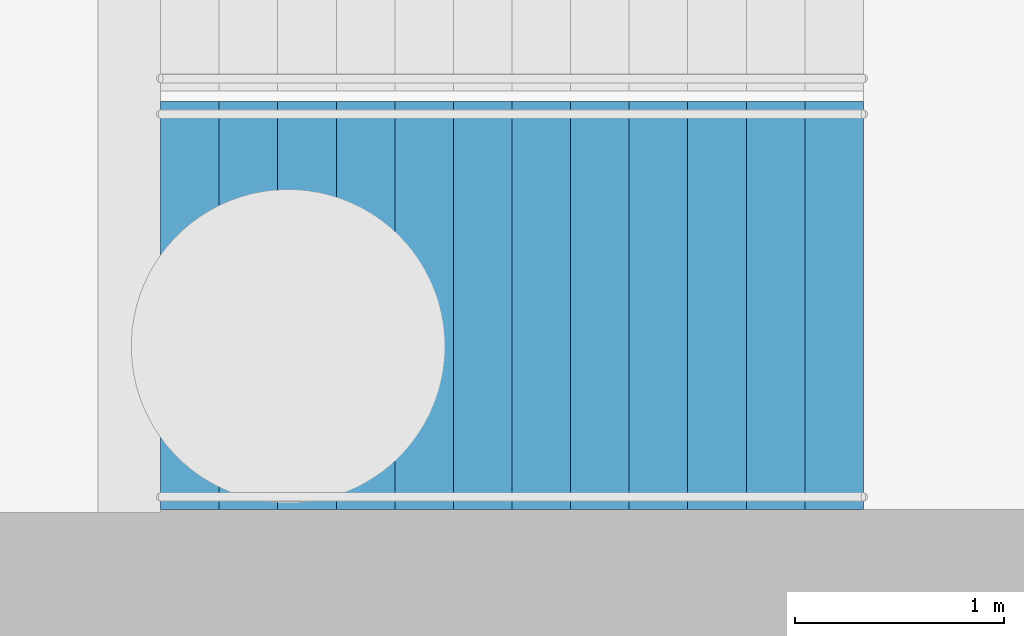
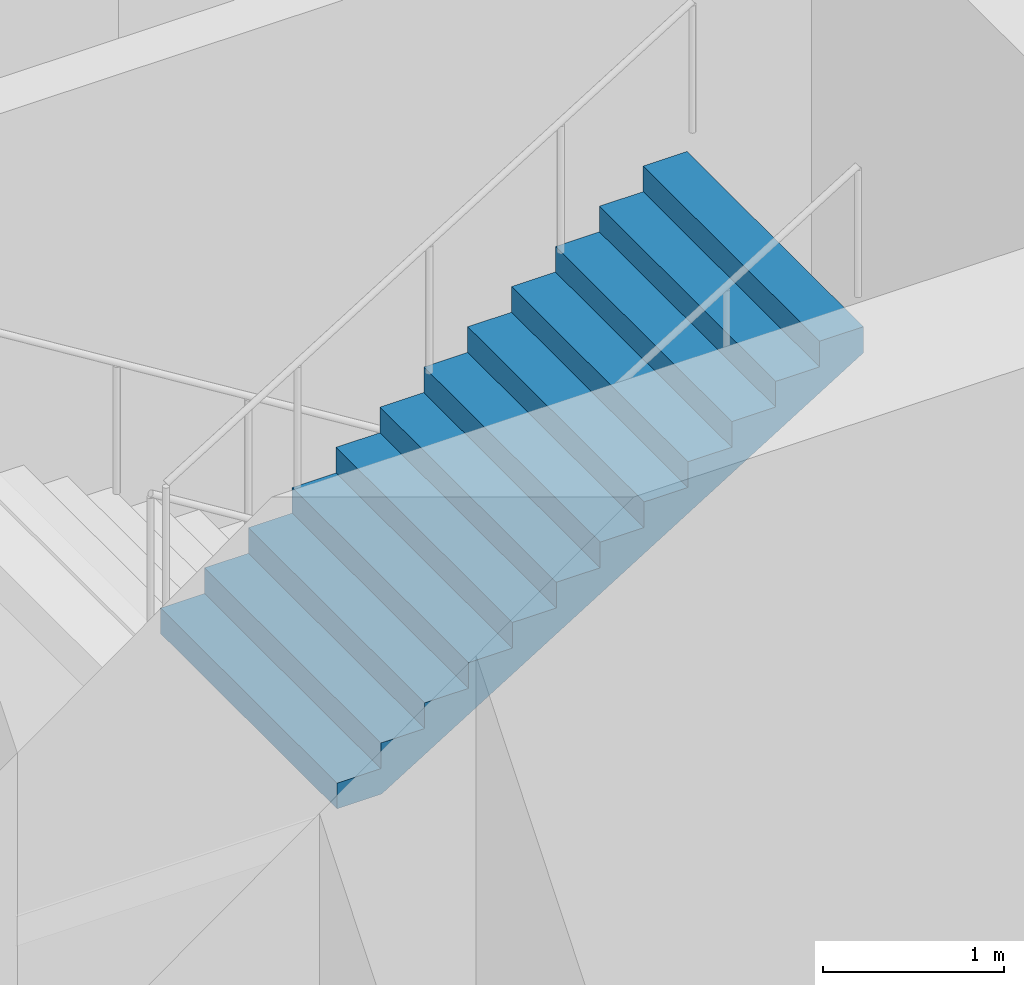
# One storey, part 11 of 28: 1 stair flight, 1 element without a shape of its own.
"""IFC4 building model written with IfcOpenShell, lengths in metres."""

from ifc_helpers import new_model, si_unit, direction, frame, origin, place, context, subcontext, project, spatial, triangles, material, type_object, element, aggregate, save


model = new_model("IFC4")

# Units and contexts
model_context = context("Model", 3, precision=1e-05, world=origin(), true_north=direction((0.0, 1.0)))
body_context = subcontext(model_context, "Body", "Model", "MODEL_VIEW")
ifc_project = project(units=[si_unit("LENGTHUNIT", "METRE"), si_unit("AREAUNIT", "SQUARE_METRE"), si_unit("VOLUMEUNIT", "CUBIC_METRE"), si_unit("PLANEANGLEUNIT", "RADIAN"), si_unit("MASSUNIT", "GRAM", prefix="KILO")], contexts=[model_context])

# Site, building, storey
site_placement = place(None, origin())
site = spatial("IfcSite", under=ifc_project, at=site_placement, CompositionType="ELEMENT")
building_placement = place(site_placement, origin())
building = spatial("IfcBuilding", under=site, at=building_placement, Name="Orbita Commons", CompositionType="ELEMENT")
storey_placement = place(building_placement, frame((0.0, 0.0, -9.0)))
storey = spatial("IfcBuildingStorey", under=building, at=storey_placement, Name="L-02", CompositionType="ELEMENT", Elevation=-9.0)

# Stair, stair flight
ifc_material_1 = material(Name="Precast concrete C40/50", Category="concrete")
stair_type = type_object("IfcStairType", Name="Exit stair S2 2 flights 13 risers 173", PredefinedType="HALF_TURN_STAIR", material=ifc_material_1)
stair_placement = place(storey_placement, origin())
stair = element("IfcStair", 1, at=stair_placement, inside=storey, type_object=stair_type, Name="Exit stair S2 L-02", PredefinedType="HALF_TURN_STAIR")
ifc_material_2 = material(Name="Precast concrete C40/50", Category="concrete")
stair_flight_type = type_object("IfcStairFlightType", Name="Stair flight 13 risers 173 x 280", PredefinedType="STRAIGHT", material=ifc_material_2)
stair_flight_placement = place(storey_placement, frame((60.18994140625, 27.27490234375, 2.25), z_axis=(0.0, 0.0, 1.0), x_axis=(1.0, 0.0, 0.0)))
stair_flight = element("IfcStairFlight", 2, at=stair_flight_placement, type_object=stair_flight_type, Name="S2 flight 2", NumberOfRisers=13, NumberOfTreads=12, PredefinedType="STRAIGHT", RiserHeight=0.173076923, TreadLength=0.28, context=body_context, shape_type="Tessellation", body=[
    triangles([(0.0, 0.974976, 0.0), (0.0, 0.974976, 0.021635), (0.0, 0.81248, 0.021635), (0.0, 0.81248, 0.0), (0.0, 0.649984, 0.021635), (0.0, 0.649984, 0.0), (0.0, 0.487488, 0.021635), (0.0, 0.487488, 0.0), (0.0, 0.324992, 0.021635), (0.0, 0.324992, 0.0), (0.0, 0.162496, 0.021635), (0.0, 0.162496, 0.0), (0.0, 0.0, 0.021635), (0.0, 0.0, 0.0), (0.0, -0.162496, 0.021635), (0.0, -0.162496, 0.0), (0.0, -0.324992, 0.021635), (0.0, -0.324992, 0.0), (0.0, -0.487488, 0.021635), (0.0, -0.487488, 0.0), (0.0, -0.649984, 0.021635), (0.0, -0.649984, 0.0), (0.0, -0.81248, 0.021635), (0.0, -0.81248, 0.0), (0.0, -0.974976, 0.021635), (0.0, -0.974976, 0.0), (0.0, 0.974976, 0.043269), (0.0, 0.81248, 0.043269), (0.0, 0.649984, 0.043269), (0.0, 0.487488, 0.043269), (0.0, 0.324992, 0.043269), (0.0, 0.162496, 0.043269), (0.0, 0.0, 0.043269), (0.0, -0.162496, 0.043269), (0.0, -0.324992, 0.043269), (0.0, -0.487488, 0.043269), (0.0, -0.649984, 0.043269), (0.0, -0.81248, 0.043269), (0.0, -0.974976, 0.043269), (0.0, 0.974976, 0.064904), (0.0, 0.81248, 0.064904), (0.0, 0.649984, 0.064904), (0.0, 0.487488, 0.064904), (0.0, 0.324992, 0.064904), (0.0, 0.162496, 0.064904), (0.0, 0.0, 0.064904), (0.0, -0.162496, 0.064904), (0.0, -0.324992, 0.064904), (0.0, -0.487488, 0.064904), (0.0, -0.649984, 0.064904), (0.0, -0.81248, 0.064904), (0.0, -0.974976, 0.064904), (0.0, 0.974976, 0.086538), (0.0, 0.81248, 0.086538), (0.0, 0.649984, 0.086538), (0.0, 0.487488, 0.086538), (0.0, 0.324992, 0.086538), (0.0, 0.162496, 0.086538), (0.0, 0.0, 0.086538), (0.0, -0.162496, 0.086538), (0.0, -0.324992, 0.086538), (0.0, -0.487488, 0.086538), (0.0, -0.649984, 0.086538), (0.0, -0.81248, 0.086538), (0.0, -0.974976, 0.086538), (0.0, 0.974976, 0.108173), (0.0, 0.81248, 0.108173), (0.0, 0.649984, 0.108173), (0.0, 0.487488, 0.108173), (0.0, 0.324992, 0.108173), (0.0, 0.162496, 0.108173), (0.0, 0.0, 0.108173), (0.0, -0.162496, 0.108173), (0.0, -0.324992, 0.108173), (0.0, -0.487488, 0.108173), (0.0, -0.649984, 0.108173), (0.0, -0.81248, 0.108173), (0.0, -0.974976, 0.108173), (0.0, 0.974976, 0.129808), (0.0, 0.81248, 0.129808), (0.0, 0.649984, 0.129808), (0.0, 0.487488, 0.129808), (0.0, 0.324992, 0.129808), (0.0, 0.162496, 0.129808), (0.0, 0.0, 0.129808), (0.0, -0.162496, 0.129808), (0.0, -0.324992, 0.129808), (0.0, -0.487488, 0.129808), (0.0, -0.649984, 0.129808), (0.0, -0.81248, 0.129808), (0.0, -0.974976, 0.129808), (0.0, 0.974976, 0.151442), (0.0, 0.81248, 0.151442), (0.0, 0.649984, 0.151442), (0.0, 0.487488, 0.151442), (0.0, 0.324992, 0.151442), (0.0, 0.162496, 0.151442), (0.0, 0.0, 0.151442), (0.0, -0.162496, 0.151442), (0.0, -0.324992, 0.151442), (0.0, -0.487488, 0.151442), (0.0, -0.649984, 0.151442), (0.0, -0.81248, 0.151442), (0.0, -0.974976, 0.151442), (0.0, 0.974976, 0.173077), (0.0, 0.81248, 0.173077), (0.0, 0.649984, 0.173077), (0.0, 0.487488, 0.173077), (0.0, 0.324992, 0.173077), (0.0, 0.162496, 0.173077), (0.0, 0.0, 0.173077), (0.0, -0.162496, 0.173077), (0.0, -0.324992, 0.173077), (0.0, -0.487488, 0.173077), (0.0, -0.649984, 0.173077), (0.0, -0.81248, 0.173077), (0.0, -0.974976, 0.173077), (0.28, 0.974976, 0.173077), (0.28, 0.81248, 0.173077), (0.28, 0.649984, 0.173077), (0.28, 0.487488, 0.173077), (0.28, 0.324992, 0.173077), (0.28, 0.162496, 0.173077), (0.28, 0.0, 0.173077), (0.28, -0.162496, 0.173077), (0.28, -0.324992, 0.173077), (0.28, -0.487488, 0.173077), (0.28, -0.649984, 0.173077), (0.28, -0.81248, 0.173077), (0.28, -0.974976, 0.173077), (0.28, 0.974976, 0.346154), (0.28, 0.81248, 0.346154), (0.28, 0.649984, 0.346154), (0.28, 0.487488, 0.346154), (0.28, 0.324992, 0.346154), (0.28, 0.162496, 0.346154), (0.28, 0.0, 0.346154), (0.28, -0.162496, 0.346154), (0.28, -0.324992, 0.346154), (0.28, -0.487488, 0.346154), (0.28, -0.649984, 0.346154), (0.28, -0.81248, 0.346154), (0.28, -0.974976, 0.346154), (0.56, 0.974976, 0.346154), (0.56, 0.81248, 0.346154), (0.56, 0.649984, 0.346154), (0.56, 0.487488, 0.346154), (0.56, 0.324992, 0.346154), (0.56, 0.162496, 0.346154), (0.56, 0.0, 0.346154), (0.56, -0.162496, 0.346154), (0.56, -0.324992, 0.346154), (0.56, -0.487488, 0.346154), (0.56, -0.649984, 0.346154), (0.56, -0.81248, 0.346154), (0.56, -0.974976, 0.346154), (0.56, 0.974976, 0.519231), (0.56, 0.81248, 0.519231), (0.56, 0.649984, 0.519231), (0.56, 0.487488, 0.519231), (0.56, 0.324992, 0.519231), (0.56, 0.162496, 0.519231), (0.56, 0.0, 0.519231), (0.56, -0.162496, 0.519231), (0.56, -0.324992, 0.519231), (0.56, -0.487488, 0.519231), (0.56, -0.649984, 0.519231), (0.56, -0.81248, 0.519231), (0.56, -0.974976, 0.519231), (0.84, 0.974976, 0.519231), (0.84, 0.81248, 0.519231), (0.84, 0.649984, 0.519231), (0.84, 0.487488, 0.519231), (0.84, 0.324992, 0.519231), (0.84, 0.162496, 0.519231), (0.84, 0.0, 0.519231), (0.84, -0.162496, 0.519231), (0.84, -0.324992, 0.519231), (0.84, -0.487488, 0.519231), (0.84, -0.649984, 0.519231), (0.84, -0.81248, 0.519231), (0.84, -0.974976, 0.519231), (0.84, 0.974976, 0.692308), (0.84, 0.81248, 0.692308), (0.84, 0.649984, 0.692308), (0.84, 0.487488, 0.692308), (0.84, 0.324992, 0.692308), (0.84, 0.162496, 0.692308), (0.84, 0.0, 0.692308), (0.84, -0.162496, 0.692308), (0.84, -0.324992, 0.692308), (0.84, -0.487488, 0.692308), (0.84, -0.649984, 0.692308), (0.84, -0.81248, 0.692308), (0.84, -0.974976, 0.692308), (1.12, 0.974976, 0.692308), (1.12, 0.81248, 0.692308), (1.12, 0.649984, 0.692308), (1.12, 0.487488, 0.692308), (1.12, 0.324992, 0.692308), (1.12, 0.162496, 0.692308), (1.12, 0.0, 0.692308), (1.12, -0.162496, 0.692308), (1.12, -0.324992, 0.692308), (1.12, -0.487488, 0.692308), (1.12, -0.649984, 0.692308), (1.12, -0.81248, 0.692308), (1.12, -0.974976, 0.692308), (1.12, 0.974976, 0.865385), (1.12, 0.81248, 0.865385), (1.12, 0.649984, 0.865385), (1.12, 0.487488, 0.865385), (1.12, 0.324992, 0.865385), (1.12, 0.162496, 0.865385), (1.12, 0.0, 0.865385), (1.12, -0.162496, 0.865385), (1.12, -0.324992, 0.865385), (1.12, -0.487488, 0.865385), (1.12, -0.649984, 0.865385), (1.12, -0.81248, 0.865385), (1.12, -0.974976, 0.865385), (1.4, 0.974976, 0.865385), (1.4, 0.81248, 0.865385), (1.4, 0.649984, 0.865385), (1.4, 0.487488, 0.865385), (1.4, 0.324992, 0.865385), (1.4, 0.162496, 0.865385), (1.4, 0.0, 0.865385), (1.4, -0.162496, 0.865385), (1.4, -0.324992, 0.865385), (1.4, -0.487488, 0.865385), (1.4, -0.649984, 0.865385), (1.4, -0.81248, 0.865385), (1.4, -0.974976, 0.865385), (1.4, 0.974976, 1.038462), (1.4, 0.81248, 1.038462), (1.4, 0.649984, 1.038462), (1.4, 0.487488, 1.038462), (1.4, 0.324992, 1.038462), (1.4, 0.162496, 1.038462), (1.4, 0.0, 1.038462), (1.4, -0.162496, 1.038462), (1.4, -0.324992, 1.038462), (1.4, -0.487488, 1.038462), (1.4, -0.649984, 1.038462), (1.4, -0.81248, 1.038462), (1.4, -0.974976, 1.038462), (1.68, 0.974976, 1.038462), (1.68, 0.81248, 1.038462), (1.68, 0.649984, 1.038462), (1.68, 0.487488, 1.038462), (1.68, 0.324992, 1.038462), (1.68, 0.162496, 1.038462), (1.68, 0.0, 1.038462), (1.68, -0.162496, 1.038462), (1.68, -0.324992, 1.038462), (1.68, -0.487488, 1.038462), (1.68, -0.649984, 1.038462), (1.68, -0.81248, 1.038462), (1.68, -0.974976, 1.038462), (1.68, 0.974976, 1.211538), (1.68, 0.81248, 1.211538), (1.68, 0.649984, 1.211538), (1.68, 0.487488, 1.211538), (1.68, 0.324992, 1.211538), (1.68, 0.162496, 1.211538), (1.68, 0.0, 1.211538), (1.68, -0.162496, 1.211538), (1.68, -0.324992, 1.211538), (1.68, -0.487488, 1.211538), (1.68, -0.649984, 1.211538), (1.68, -0.81248, 1.211538), (1.68, -0.974976, 1.211538), (1.96, 0.974976, 1.211538), (1.96, 0.81248, 1.211538), (1.96, 0.649984, 1.211538), (1.96, 0.487488, 1.211538), (1.96, 0.324992, 1.211538), (1.96, 0.162496, 1.211538), (1.96, 0.0, 1.211538), (1.96, -0.162496, 1.211538), (1.96, -0.324992, 1.211538), (1.96, -0.487488, 1.211538), (1.96, -0.649984, 1.211538), (1.96, -0.81248, 1.211538), (1.96, -0.974976, 1.211538), (1.96, 0.974976, 1.384615), (1.96, 0.81248, 1.384615), (1.96, 0.649984, 1.384615), (1.96, 0.487488, 1.384615), (1.96, 0.324992, 1.384615), (1.96, 0.162496, 1.384615), (1.96, 0.0, 1.384615), (1.96, -0.162496, 1.384615), (1.96, -0.324992, 1.384615), (1.96, -0.487488, 1.384615), (1.96, -0.649984, 1.384615), (1.96, -0.81248, 1.384615), (1.96, -0.974976, 1.384615), (2.24, 0.974976, 1.384615), (2.24, 0.81248, 1.384615), (2.24, 0.649984, 1.384615), (2.24, 0.487488, 1.384615), (2.24, 0.324992, 1.384615), (2.24, 0.162496, 1.384615), (2.24, 0.0, 1.384615), (2.24, -0.162496, 1.384615), (2.24, -0.324992, 1.384615), (2.24, -0.487488, 1.384615), (2.24, -0.649984, 1.384615), (2.24, -0.81248, 1.384615), (2.24, -0.974976, 1.384615), (2.24, 0.974976, 1.557692), (2.24, 0.81248, 1.557692), (2.24, 0.649984, 1.557692), (2.24, 0.487488, 1.557692), (2.24, 0.324992, 1.557692), (2.24, 0.162496, 1.557692), (2.24, 0.0, 1.557692), (2.24, -0.162496, 1.557692), (2.24, -0.324992, 1.557692), (2.24, -0.487488, 1.557692), (2.24, -0.649984, 1.557692), (2.24, -0.81248, 1.557692), (2.24, -0.974976, 1.557692), (2.52, 0.974976, 1.557692), (2.52, 0.81248, 1.557692), (2.52, 0.649984, 1.557692), (2.52, 0.487488, 1.557692), (2.52, 0.324992, 1.557692), (2.52, 0.162496, 1.557692), (2.52, 0.0, 1.557692), (2.52, -0.162496, 1.557692), (2.52, -0.324992, 1.557692), (2.52, -0.487488, 1.557692), (2.52, -0.649984, 1.557692), (2.52, -0.81248, 1.557692), (2.52, -0.974976, 1.557692), (2.52, 0.974976, 1.730769), (2.52, 0.81248, 1.730769), (2.52, 0.649984, 1.730769), (2.52, 0.487488, 1.730769), (2.52, 0.324992, 1.730769), (2.52, 0.162496, 1.730769), (2.52, 0.0, 1.730769), (2.52, -0.162496, 1.730769), (2.52, -0.324992, 1.730769), (2.52, -0.487488, 1.730769), (2.52, -0.649984, 1.730769), (2.52, -0.81248, 1.730769), (2.52, -0.974976, 1.730769), (2.8, 0.974976, 1.730769), (2.8, 0.81248, 1.730769), (2.8, 0.649984, 1.730769), (2.8, 0.487488, 1.730769), (2.8, 0.324992, 1.730769), (2.8, 0.162496, 1.730769), (2.8, 0.0, 1.730769), (2.8, -0.162496, 1.730769), (2.8, -0.324992, 1.730769), (2.8, -0.487488, 1.730769), (2.8, -0.649984, 1.730769), (2.8, -0.81248, 1.730769), (2.8, -0.974976, 1.730769), (2.8, 0.974976, 1.903846), (2.8, 0.81248, 1.903846), (2.8, 0.649984, 1.903846), (2.8, 0.487488, 1.903846), (2.8, 0.324992, 1.903846), (2.8, 0.162496, 1.903846), (2.8, 0.0, 1.903846), (2.8, -0.162496, 1.903846), (2.8, -0.324992, 1.903846), (2.8, -0.487488, 1.903846), (2.8, -0.649984, 1.903846), (2.8, -0.81248, 1.903846), (2.8, -0.974976, 1.903846), (3.08, 0.974976, 1.903846), (3.08, 0.81248, 1.903846), (3.08, 0.649984, 1.903846), (3.08, 0.487488, 1.903846), (3.08, 0.324992, 1.903846), (3.08, 0.162496, 1.903846), (3.08, 0.0, 1.903846), (3.08, -0.162496, 1.903846), (3.08, -0.324992, 1.903846), (3.08, -0.487488, 1.903846), (3.08, -0.649984, 1.903846), (3.08, -0.81248, 1.903846), (3.08, -0.974976, 1.903846), (3.08, 0.974976, 2.076923), (3.08, 0.81248, 2.076923), (3.08, 0.649984, 2.076923), (3.08, 0.487488, 2.076923), (3.08, 0.324992, 2.076923), (3.08, 0.162496, 2.076923), (3.08, 0.0, 2.076923), (3.08, -0.162496, 2.076923), (3.08, -0.324992, 2.076923), (3.08, -0.487488, 2.076923), (3.08, -0.649984, 2.076923), (3.08, -0.81248, 2.076923), (3.08, -0.974976, 2.076923), (3.36, 0.974976, 2.076923), (3.36, 0.81248, 2.076923), (3.36, 0.649984, 2.076923), (3.36, 0.487488, 2.076923), (3.36, 0.324992, 2.076923), (3.36, 0.162496, 2.076923), (3.36, 0.0, 2.076923), (3.36, -0.162496, 2.076923), (3.36, -0.324992, 2.076923), (3.36, -0.487488, 2.076923), (3.36, -0.649984, 2.076923), (3.36, -0.81248, 2.076923), (3.36, -0.974976, 2.076923), (3.36, 0.974976, 2.054895), (3.36, 0.81248, 2.054895), (3.36, 0.649984, 2.054895), (3.36, 0.487488, 2.054895), (3.36, 0.324992, 2.054895), (3.36, 0.162496, 2.054895), (3.36, 0.0, 2.054895), (3.36, -0.162496, 2.054895), (3.36, -0.324992, 2.054895), (3.36, -0.487488, 2.054895), (3.36, -0.649984, 2.054895), (3.36, -0.81248, 2.054895), (3.36, -0.974976, 2.054895), (3.36, 0.974976, 2.032866), (3.36, 0.81248, 2.032866), (3.36, 0.649984, 2.032866), (3.36, 0.487488, 2.032866), (3.36, 0.324992, 2.032866), (3.36, 0.162496, 2.032866), (3.36, 0.0, 2.032866), (3.36, -0.162496, 2.032866), (3.36, -0.324992, 2.032866), (3.36, -0.487488, 2.032866), (3.36, -0.649984, 2.032866), (3.36, -0.81248, 2.032866), (3.36, -0.974976, 2.032866), (3.36, 0.974976, 2.010837), (3.36, 0.81248, 2.010837), (3.36, 0.649984, 2.010837), (3.36, 0.487488, 2.010837), (3.36, 0.324992, 2.010837), (3.36, 0.162496, 2.010837), (3.36, 0.0, 2.010837), (3.36, -0.162496, 2.010837), (3.36, -0.324992, 2.010837), (3.36, -0.487488, 2.010837), (3.36, -0.649984, 2.010837), (3.36, -0.81248, 2.010837), (3.36, -0.974976, 2.010837), (3.36, 0.974976, 1.988809), (3.36, 0.81248, 1.988809), (3.36, 0.649984, 1.988809), (3.36, 0.487488, 1.988809), (3.36, 0.324992, 1.988809), (3.36, 0.162496, 1.988809), (3.36, 0.0, 1.988809), (3.36, -0.162496, 1.988809), (3.36, -0.324992, 1.988809), (3.36, -0.487488, 1.988809), (3.36, -0.649984, 1.988809), (3.36, -0.81248, 1.988809), (3.36, -0.974976, 1.988809), (3.36, 0.974976, 1.96678), (3.36, 0.81248, 1.96678), (3.36, 0.649984, 1.96678), (3.36, 0.487488, 1.96678), (3.36, 0.324992, 1.96678), (3.36, 0.162496, 1.96678), (3.36, 0.0, 1.96678), (3.36, -0.162496, 1.96678), (3.36, -0.324992, 1.96678), (3.36, -0.487488, 1.96678), (3.36, -0.649984, 1.96678), (3.36, -0.81248, 1.96678), (3.36, -0.974976, 1.96678), (3.36, 0.974976, 1.944752), (3.36, 0.81248, 1.944752), (3.36, 0.649984, 1.944752), (3.36, 0.487488, 1.944752), (3.36, 0.324992, 1.944752), (3.36, 0.162496, 1.944752), (3.36, 0.0, 1.944752), (3.36, -0.162496, 1.944752), (3.36, -0.324992, 1.944752), (3.36, -0.487488, 1.944752), (3.36, -0.649984, 1.944752), (3.36, -0.81248, 1.944752), (3.36, -0.974976, 1.944752), (3.36, 0.974976, 1.922723), (3.36, 0.81248, 1.922723), (3.36, 0.649984, 1.922723), (3.36, 0.487488, 1.922723), (3.36, 0.324992, 1.922723), (3.36, 0.162496, 1.922723), (3.36, 0.0, 1.922723), (3.36, -0.162496, 1.922723), (3.36, -0.324992, 1.922723), (3.36, -0.487488, 1.922723), (3.36, -0.649984, 1.922723), (3.36, -0.81248, 1.922723), (3.36, -0.974976, 1.922723), (3.36, 0.974976, 1.900695), (3.36, 0.81248, 1.900695), (3.36, 0.649984, 1.900695), (3.36, 0.487488, 1.900695), (3.36, 0.324992, 1.900695), (3.36, 0.162496, 1.900695), (3.36, 0.0, 1.900695), (3.36, -0.162496, 1.900695), (3.36, -0.324992, 1.900695), (3.36, -0.487488, 1.900695), (3.36, -0.649984, 1.900695), (3.36, -0.81248, 1.900695), (3.36, -0.974976, 1.900695), (0.285099, 0.974976, 0.0), (0.285099, 0.81248, 0.0), (0.285099, 0.649984, 0.0), (0.285099, 0.487488, 0.0), (0.285099, 0.324992, 0.0), (0.285099, 0.162496, 0.0), (0.285099, 0.0, 0.0), (0.285099, -0.162496, 0.0), (0.285099, -0.324992, 0.0), (0.285099, -0.487488, 0.0), (0.285099, -0.649984, 0.0), (0.285099, -0.81248, 0.0), (0.285099, -0.974976, 0.0)], [[3, 2, 1], [4, 3, 1], [5, 3, 4], [6, 5, 4], [7, 5, 6], [8, 7, 6], [9, 7, 8], [10, 9, 8], [11, 9, 10], [12, 11, 10], [13, 11, 12], [14, 13, 12], [15, 13, 14], [16, 15, 14], [17, 15, 16], [18, 17, 16], [19, 17, 18], [20, 19, 18], [21, 19, 20], [22, 21, 20], [23, 21, 22], [24, 23, 22], [25, 23, 24], [26, 25, 24], [28, 27, 2], [3, 28, 2], [29, 28, 3], [5, 29, 3], [30, 29, 5], [7, 30, 5], [31, 30, 7], [9, 31, 7], [32, 31, 9], [11, 32, 9], [33, 32, 11], [13, 33, 11], [34, 33, 13], [15, 34, 13], [35, 34, 15], [17, 35, 15], [36, 35, 17], [19, 36, 17], [37, 36, 19], [21, 37, 19], [38, 37, 21], [23, 38, 21], [39, 38, 23], [25, 39, 23], [41, 40, 27], [28, 41, 27], [42, 41, 28], [29, 42, 28], [43, 42, 29], [30, 43, 29], [44, 43, 30], [31, 44, 30], [45, 44, 31], [32, 45, 31], [46, 45, 32], [33, 46, 32], [47, 46, 33], [34, 47, 33], [48, 47, 34], [35, 48, 34], [49, 48, 35], [36, 49, 35], [50, 49, 36], [37, 50, 36], [51, 50, 37], [38, 51, 37], [52, 51, 38], [39, 52, 38], [54, 53, 40], [41, 54, 40], [55, 54, 41], [42, 55, 41], [56, 55, 42], [43, 56, 42], [57, 56, 43], [44, 57, 43], [58, 57, 44], [45, 58, 44], [59, 58, 45], [46, 59, 45], [60, 59, 46], [47, 60, 46], [61, 60, 47], [48, 61, 47], [62, 61, 48], [49, 62, 48], [63, 62, 49], [50, 63, 49], [64, 63, 50], [51, 64, 50], [65, 64, 51], [52, 65, 51], [67, 66, 53], [54, 67, 53], [68, 67, 54], [55, 68, 54], [69, 68, 55], [56, 69, 55], [70, 69, 56], [57, 70, 56], [71, 70, 57], [58, 71, 57], [72, 71, 58], [59, 72, 58], [73, 72, 59], [60, 73, 59], [74, 73, 60], [61, 74, 60], [75, 74, 61], [62, 75, 61], [76, 75, 62], [63, 76, 62], [77, 76, 63], [64, 77, 63], [78, 77, 64], [65, 78, 64], [80, 79, 66], [67, 80, 66], [81, 80, 67], [68, 81, 67], [82, 81, 68], [69, 82, 68], [83, 82, 69], [70, 83, 69], [84, 83, 70], [71, 84, 70], [85, 84, 71], [72, 85, 71], [86, 85, 72], [73, 86, 72], [87, 86, 73], [74, 87, 73], [88, 87, 74], [75, 88, 74], [89, 88, 75], [76, 89, 75], [90, 89, 76], [77, 90, 76], [91, 90, 77], [78, 91, 77], [93, 92, 79], [80, 93, 79], [94, 93, 80], [81, 94, 80], [95, 94, 81], [82, 95, 81], [96, 95, 82], [83, 96, 82], [97, 96, 83], [84, 97, 83], [98, 97, 84], [85, 98, 84], [99, 98, 85], [86, 99, 85], [100, 99, 86], [87, 100, 86], [101, 100, 87], [88, 101, 87], [102, 101, 88], [89, 102, 88], [103, 102, 89], [90, 103, 89], [104, 103, 90], [91, 104, 90], [106, 105, 92], [93, 106, 92], [107, 106, 93], [94, 107, 93], [108, 107, 94], [95, 108, 94], [109, 108, 95], [96, 109, 95], [110, 109, 96], [97, 110, 96], [111, 110, 97], [98, 111, 97], [112, 111, 98], [99, 112, 98], [113, 112, 99], [100, 113, 99], [114, 113, 100], [101, 114, 100], [115, 114, 101], [102, 115, 101], [116, 115, 102], [103, 116, 102], [117, 116, 103], [104, 117, 103], [119, 118, 105], [106, 119, 105], [120, 119, 106], [107, 120, 106], [121, 120, 107], [108, 121, 107], [122, 121, 108], [109, 122, 108], [123, 122, 109], [110, 123, 109], [124, 123, 110], [111, 124, 110], [125, 124, 111], [112, 125, 111], [126, 125, 112], [113, 126, 112], [127, 126, 113], [114, 127, 113], [128, 127, 114], [115, 128, 114], [129, 128, 115], [116, 129, 115], [130, 129, 116], [117, 130, 116], [132, 131, 118], [119, 132, 118], [133, 132, 119], [120, 133, 119], [134, 133, 120], [121, 134, 120], [135, 134, 121], [122, 135, 121], [136, 135, 122], [123, 136, 122], [137, 136, 123], [124, 137, 123], [138, 137, 124], [125, 138, 124], [139, 138, 125], [126, 139, 125], [140, 139, 126], [127, 140, 126], [141, 140, 127], [128, 141, 127], [142, 141, 128], [129, 142, 128], [143, 142, 129], [130, 143, 129], [145, 144, 131], [132, 145, 131], [146, 145, 132], [133, 146, 132], [147, 146, 133], [134, 147, 133], [148, 147, 134], [135, 148, 134], [149, 148, 135], [136, 149, 135], [150, 149, 136], [137, 150, 136], [151, 150, 137], [138, 151, 137], [152, 151, 138], [139, 152, 138], [153, 152, 139], [140, 153, 139], [154, 153, 140], [141, 154, 140], [155, 154, 141], [142, 155, 141], [156, 155, 142], [143, 156, 142], [158, 157, 144], [145, 158, 144], [159, 158, 145], [146, 159, 145], [160, 159, 146], [147, 160, 146], [161, 160, 147], [148, 161, 147], [162, 161, 148], [149, 162, 148], [163, 162, 149], [150, 163, 149], [164, 163, 150], [151, 164, 150], [165, 164, 151], [152, 165, 151], [166, 165, 152], [153, 166, 152], [167, 166, 153], [154, 167, 153], [168, 167, 154], [155, 168, 154], [169, 168, 155], [156, 169, 155], [171, 170, 157], [158, 171, 157], [172, 171, 158], [159, 172, 158], [173, 172, 159], [160, 173, 159], [174, 173, 160], [161, 174, 160], [175, 174, 161], [162, 175, 161], [176, 175, 162], [163, 176, 162], [177, 176, 163], [164, 177, 163], [178, 177, 164], [165, 178, 164], [179, 178, 165], [166, 179, 165], [180, 179, 166], [167, 180, 166], [181, 180, 167], [168, 181, 167], [182, 181, 168], [169, 182, 168], [184, 183, 170], [171, 184, 170], [185, 184, 171], [172, 185, 171], [186, 185, 172], [173, 186, 172], [187, 186, 173], [174, 187, 173], [188, 187, 174], [175, 188, 174], [189, 188, 175], [176, 189, 175], [190, 189, 176], [177, 190, 176], [191, 190, 177], [178, 191, 177], [192, 191, 178], [179, 192, 178], [193, 192, 179], [180, 193, 179], [194, 193, 180], [181, 194, 180], [195, 194, 181], [182, 195, 181], [197, 196, 183], [184, 197, 183], [198, 197, 184], [185, 198, 184], [199, 198, 185], [186, 199, 185], [200, 199, 186], [187, 200, 186], [201, 200, 187], [188, 201, 187], [202, 201, 188], [189, 202, 188], [203, 202, 189], [190, 203, 189], [204, 203, 190], [191, 204, 190], [205, 204, 191], [192, 205, 191], [206, 205, 192], [193, 206, 192], [207, 206, 193], [194, 207, 193], [208, 207, 194], [195, 208, 194], [210, 209, 196], [197, 210, 196], [211, 210, 197], [198, 211, 197], [212, 211, 198], [199, 212, 198], [213, 212, 199], [200, 213, 199], [214, 213, 200], [201, 214, 200], [215, 214, 201], [202, 215, 201], [216, 215, 202], [203, 216, 202], [217, 216, 203], [204, 217, 203], [218, 217, 204], [205, 218, 204], [219, 218, 205], [206, 219, 205], [220, 219, 206], [207, 220, 206], [221, 220, 207], [208, 221, 207], [223, 222, 209], [210, 223, 209], [224, 223, 210], [211, 224, 210], [225, 224, 211], [212, 225, 211], [226, 225, 212], [213, 226, 212], [227, 226, 213], [214, 227, 213], [228, 227, 214], [215, 228, 214], [229, 228, 215], [216, 229, 215], [230, 229, 216], [217, 230, 216], [231, 230, 217], [218, 231, 217], [232, 231, 218], [219, 232, 218], [233, 232, 219], [220, 233, 219], [234, 233, 220], [221, 234, 220], [236, 235, 222], [223, 236, 222], [237, 236, 223], [224, 237, 223], [238, 237, 224], [225, 238, 224], [239, 238, 225], [226, 239, 225], [240, 239, 226], [227, 240, 226], [241, 240, 227], [228, 241, 227], [242, 241, 228], [229, 242, 228], [243, 242, 229], [230, 243, 229], [244, 243, 230], [231, 244, 230], [245, 244, 231], [232, 245, 231], [246, 245, 232], [233, 246, 232], [247, 246, 233], [234, 247, 233], [249, 248, 235], [236, 249, 235], [250, 249, 236], [237, 250, 236], [251, 250, 237], [238, 251, 237], [252, 251, 238], [239, 252, 238], [253, 252, 239], [240, 253, 239], [254, 253, 240], [241, 254, 240], [255, 254, 241], [242, 255, 241], [256, 255, 242], [243, 256, 242], [257, 256, 243], [244, 257, 243], [258, 257, 244], [245, 258, 244], [259, 258, 245], [246, 259, 245], [260, 259, 246], [247, 260, 246], [262, 261, 248], [249, 262, 248], [263, 262, 249], [250, 263, 249], [264, 263, 250], [251, 264, 250], [265, 264, 251], [252, 265, 251], [266, 265, 252], [253, 266, 252], [267, 266, 253], [254, 267, 253], [268, 267, 254], [255, 268, 254], [269, 268, 255], [256, 269, 255], [270, 269, 256], [257, 270, 256], [271, 270, 257], [258, 271, 257], [272, 271, 258], [259, 272, 258], [273, 272, 259], [260, 273, 259], [275, 274, 261], [262, 275, 261], [276, 275, 262], [263, 276, 262], [277, 276, 263], [264, 277, 263], [278, 277, 264], [265, 278, 264], [279, 278, 265], [266, 279, 265], [280, 279, 266], [267, 280, 266], [281, 280, 267], [268, 281, 267], [282, 281, 268], [269, 282, 268], [283, 282, 269], [270, 283, 269], [284, 283, 270], [271, 284, 270], [285, 284, 271], [272, 285, 271], [286, 285, 272], [273, 286, 272], [288, 287, 274], [275, 288, 274], [289, 288, 275], [276, 289, 275], [290, 289, 276], [277, 290, 276], [291, 290, 277], [278, 291, 277], [292, 291, 278], [279, 292, 278], [293, 292, 279], [280, 293, 279], [294, 293, 280], [281, 294, 280], [295, 294, 281], [282, 295, 281], [296, 295, 282], [283, 296, 282], [297, 296, 283], [284, 297, 283], [298, 297, 284], [285, 298, 284], [299, 298, 285], [286, 299, 285], [301, 300, 287], [288, 301, 287], [302, 301, 288], [289, 302, 288], [303, 302, 289], [290, 303, 289], [304, 303, 290], [291, 304, 290], [305, 304, 291], [292, 305, 291], [306, 305, 292], [293, 306, 292], [307, 306, 293], [294, 307, 293], [308, 307, 294], [295, 308, 294], [309, 308, 295], [296, 309, 295], [310, 309, 296], [297, 310, 296], [311, 310, 297], [298, 311, 297], [312, 311, 298], [299, 312, 298], [314, 313, 300], [301, 314, 300], [315, 314, 301], [302, 315, 301], [316, 315, 302], [303, 316, 302], [317, 316, 303], [304, 317, 303], [318, 317, 304], [305, 318, 304], [319, 318, 305], [306, 319, 305], [320, 319, 306], [307, 320, 306], [321, 320, 307], [308, 321, 307], [322, 321, 308], [309, 322, 308], [323, 322, 309], [310, 323, 309], [324, 323, 310], [311, 324, 310], [325, 324, 311], [312, 325, 311], [327, 326, 313], [314, 327, 313], [328, 327, 314], [315, 328, 314], [329, 328, 315], [316, 329, 315], [330, 329, 316], [317, 330, 316], [331, 330, 317], [318, 331, 317], [332, 331, 318], [319, 332, 318], [333, 332, 319], [320, 333, 319], [334, 333, 320], [321, 334, 320], [335, 334, 321], [322, 335, 321], [336, 335, 322], [323, 336, 322], [337, 336, 323], [324, 337, 323], [338, 337, 324], [325, 338, 324], [340, 339, 326], [327, 340, 326], [341, 340, 327], [328, 341, 327], [342, 341, 328], [329, 342, 328], [343, 342, 329], [330, 343, 329], [344, 343, 330], [331, 344, 330], [345, 344, 331], [332, 345, 331], [346, 345, 332], [333, 346, 332], [347, 346, 333], [334, 347, 333], [348, 347, 334], [335, 348, 334], [349, 348, 335], [336, 349, 335], [350, 349, 336], [337, 350, 336], [351, 350, 337], [338, 351, 337], [353, 352, 339], [340, 353, 339], [354, 353, 340], [341, 354, 340], [355, 354, 341], [342, 355, 341], [356, 355, 342], [343, 356, 342], [357, 356, 343], [344, 357, 343], [358, 357, 344], [345, 358, 344], [359, 358, 345], [346, 359, 345], [360, 359, 346], [347, 360, 346], [361, 360, 347], [348, 361, 347], [362, 361, 348], [349, 362, 348], [363, 362, 349], [350, 363, 349], [364, 363, 350], [351, 364, 350], [366, 365, 352], [353, 366, 352], [367, 366, 353], [354, 367, 353], [368, 367, 354], [355, 368, 354], [369, 368, 355], [356, 369, 355], [370, 369, 356], [357, 370, 356], [371, 370, 357], [358, 371, 357], [372, 371, 358], [359, 372, 358], [373, 372, 359], [360, 373, 359], [374, 373, 360], [361, 374, 360], [375, 374, 361], [362, 375, 361], [376, 375, 362], [363, 376, 362], [377, 376, 363], [364, 377, 363], [379, 378, 365], [366, 379, 365], [380, 379, 366], [367, 380, 366], [381, 380, 367], [368, 381, 367], [382, 381, 368], [369, 382, 368], [383, 382, 369], [370, 383, 369], [384, 383, 370], [371, 384, 370], [385, 384, 371], [372, 385, 371], [386, 385, 372], [373, 386, 372], [387, 386, 373], [374, 387, 373], [388, 387, 374], [375, 388, 374], [389, 388, 375], [376, 389, 375], [390, 389, 376], [377, 390, 376], [392, 391, 378], [379, 392, 378], [393, 392, 379], [380, 393, 379], [394, 393, 380], [381, 394, 380], [395, 394, 381], [382, 395, 381], [396, 395, 382], [383, 396, 382], [397, 396, 383], [384, 397, 383], [398, 397, 384], [385, 398, 384], [399, 398, 385], [386, 399, 385], [400, 399, 386], [387, 400, 386], [401, 400, 387], [388, 401, 387], [402, 401, 388], [389, 402, 388], [403, 402, 389], [390, 403, 389], [405, 404, 391], [392, 405, 391], [406, 405, 392], [393, 406, 392], [407, 406, 393], [394, 407, 393], [408, 407, 394], [395, 408, 394], [409, 408, 395], [396, 409, 395], [410, 409, 396], [397, 410, 396], [411, 410, 397], [398, 411, 397], [412, 411, 398], [399, 412, 398], [413, 412, 399], [400, 413, 399], [414, 413, 400], [401, 414, 400], [415, 414, 401], [402, 415, 401], [416, 415, 402], [403, 416, 402], [418, 417, 404], [405, 418, 404], [419, 418, 405], [406, 419, 405], [420, 419, 406], [407, 420, 406], [421, 420, 407], [408, 421, 407], [422, 421, 408], [409, 422, 408], [423, 422, 409], [410, 423, 409], [424, 423, 410], [411, 424, 410], [425, 424, 411], [412, 425, 411], [426, 425, 412], [413, 426, 412], [427, 426, 413], [414, 427, 413], [428, 427, 414], [415, 428, 414], [429, 428, 415], [416, 429, 415], [431, 430, 417], [418, 431, 417], [432, 431, 418], [419, 432, 418], [433, 432, 419], [420, 433, 419], [434, 433, 420], [421, 434, 420], [435, 434, 421], [422, 435, 421], [436, 435, 422], [423, 436, 422], [437, 436, 423], [424, 437, 423], [438, 437, 424], [425, 438, 424], [439, 438, 425], [426, 439, 425], [440, 439, 426], [427, 440, 426], [441, 440, 427], [428, 441, 427], [442, 441, 428], [429, 442, 428], [444, 443, 430], [431, 444, 430], [445, 444, 431], [432, 445, 431], [446, 445, 432], [433, 446, 432], [447, 446, 433], [434, 447, 433], [448, 447, 434], [435, 448, 434], [449, 448, 435], [436, 449, 435], [450, 449, 436], [437, 450, 436], [451, 450, 437], [438, 451, 437], [452, 451, 438], [439, 452, 438], [453, 452, 439], [440, 453, 439], [454, 453, 440], [441, 454, 440], [455, 454, 441], [442, 455, 441], [457, 456, 443], [444, 457, 443], [458, 457, 444], [445, 458, 444], [459, 458, 445], [446, 459, 445], [460, 459, 446], [447, 460, 446], [461, 460, 447], [448, 461, 447], [462, 461, 448], [449, 462, 448], [463, 462, 449], [450, 463, 449], [464, 463, 450], [451, 464, 450], [465, 464, 451], [452, 465, 451], [466, 465, 452], [453, 466, 452], [467, 466, 453], [454, 467, 453], [468, 467, 454], [455, 468, 454], [470, 469, 456], [457, 470, 456], [471, 470, 457], [458, 471, 457], [472, 471, 458], [459, 472, 458], [473, 472, 459], [460, 473, 459], [474, 473, 460], [461, 474, 460], [475, 474, 461], [462, 475, 461], [476, 475, 462], [463, 476, 462], [477, 476, 463], [464, 477, 463], [478, 477, 464], [465, 478, 464], [479, 478, 465], [466, 479, 465], [480, 479, 466], [467, 480, 466], [481, 480, 467], [468, 481, 467], [483, 482, 469], [470, 483, 469], [484, 483, 470], [471, 484, 470], [485, 484, 471], [472, 485, 471], [486, 485, 472], [473, 486, 472], [487, 486, 473], [474, 487, 473], [488, 487, 474], [475, 488, 474], [489, 488, 475], [476, 489, 475], [490, 489, 476], [477, 490, 476], [491, 490, 477], [478, 491, 477], [492, 491, 478], [479, 492, 478], [493, 492, 479], [480, 493, 479], [494, 493, 480], [481, 494, 480], [496, 495, 482], [483, 496, 482], [497, 496, 483], [484, 497, 483], [498, 497, 484], [485, 498, 484], [499, 498, 485], [486, 499, 485], [500, 499, 486], [487, 500, 486], [501, 500, 487], [488, 501, 487], [502, 501, 488], [489, 502, 488], [503, 502, 489], [490, 503, 489], [504, 503, 490], [491, 504, 490], [505, 504, 491], [492, 505, 491], [506, 505, 492], [493, 506, 492], [507, 506, 493], [494, 507, 493], [509, 508, 495], [496, 509, 495], [510, 509, 496], [497, 510, 496], [511, 510, 497], [498, 511, 497], [512, 511, 498], [499, 512, 498], [513, 512, 499], [500, 513, 499], [514, 513, 500], [501, 514, 500], [515, 514, 501], [502, 515, 501], [516, 515, 502], [503, 516, 502], [517, 516, 503], [504, 517, 503], [518, 517, 504], [505, 518, 504], [519, 518, 505], [506, 519, 505], [520, 519, 506], [507, 520, 506], [522, 521, 508], [509, 522, 508], [523, 522, 509], [510, 523, 509], [524, 523, 510], [511, 524, 510], [525, 524, 511], [512, 525, 511], [526, 525, 512], [513, 526, 512], [527, 526, 513], [514, 527, 513], [528, 527, 514], [515, 528, 514], [529, 528, 515], [516, 529, 515], [530, 529, 516], [517, 530, 516], [531, 530, 517], [518, 531, 517], [532, 531, 518], [519, 532, 518], [533, 532, 519], [520, 533, 519], [4, 1, 521], [522, 4, 521], [6, 4, 522], [523, 6, 522], [8, 6, 523], [524, 8, 523], [10, 8, 524], [525, 10, 524], [12, 10, 525], [526, 12, 525], [14, 12, 526], [527, 14, 526], [16, 14, 527], [528, 16, 527], [18, 16, 528], [529, 18, 528], [20, 18, 529], [530, 20, 529], [22, 20, 530], [531, 22, 530], [24, 22, 531], [532, 24, 531], [26, 24, 532], [533, 26, 532], [508, 521, 1], [26, 533, 520], [495, 508, 1], [26, 520, 507], [482, 495, 1], [26, 507, 494], [469, 482, 1], [26, 494, 481], [456, 469, 1], [26, 481, 468], [443, 456, 1], [26, 468, 455], [430, 443, 1], [26, 455, 442], [417, 430, 1], [26, 442, 429], [391, 404, 417], [429, 416, 403], [378, 391, 417], [429, 403, 390], [352, 365, 378], [390, 377, 364], [352, 378, 417], [429, 390, 364], [326, 339, 352], [364, 351, 338], [326, 352, 417], [429, 364, 338], [300, 313, 326], [338, 325, 312], [300, 326, 417], [429, 338, 312], [274, 287, 300], [312, 299, 286], [274, 300, 417], [429, 312, 286], [248, 261, 274], [286, 273, 260], [248, 274, 417], [429, 286, 260], [222, 235, 248], [260, 247, 234], [222, 248, 417], [429, 260, 234], [196, 209, 222], [234, 221, 208], [196, 222, 417], [429, 234, 208], [170, 183, 196], [208, 195, 182], [170, 196, 417], [429, 208, 182], [144, 157, 170], [182, 169, 156], [144, 170, 417], [429, 182, 156], [118, 131, 144], [156, 143, 130], [118, 144, 417], [429, 156, 130], [118, 417, 1], [26, 429, 130], [92, 105, 118], [130, 117, 104], [79, 92, 118], [130, 104, 91], [66, 79, 118], [130, 91, 78], [53, 66, 118], [130, 78, 65], [40, 53, 118], [130, 65, 52], [27, 40, 118], [130, 52, 39], [2, 27, 118], [130, 39, 25], [1, 2, 118], [130, 25, 26]], closed=True),
])
aggregate(stair, [stair_flight])

save(model, "model.ifc")
